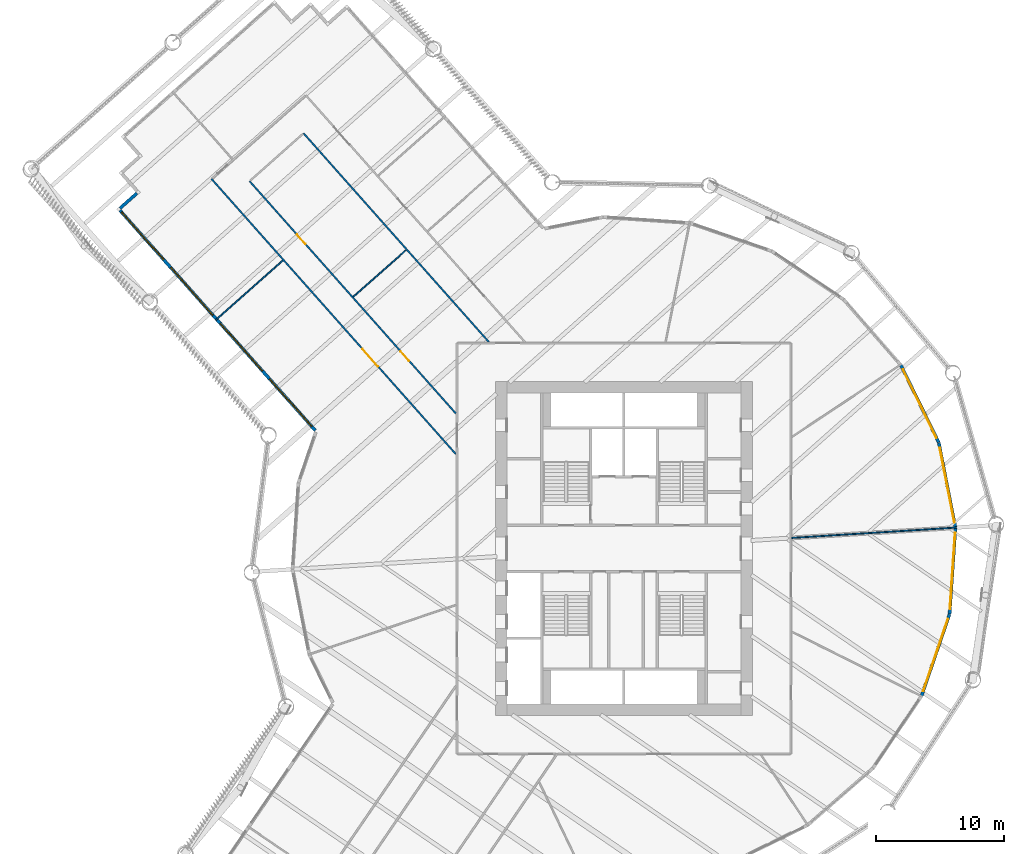
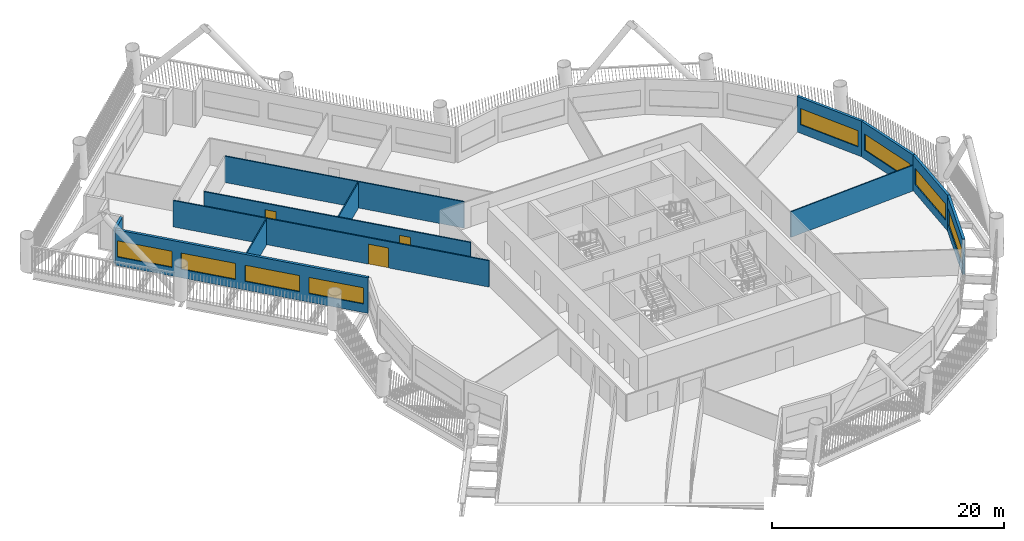
# One storey, part 6 of 22: 12 walls, 8 windows, 3 doors, 11 openings.
"""IFC4 building model written with IfcOpenShell, lengths in metres."""

import ifcopenshell
import ifcopenshell.guid

model = None  # the IFC model being written
_history = None  # IfcOwnerHistory: only IFC2X3 demands one
_inside = {}  # id of a spatial element -> (the spatial element, [elements in it])
_under = {}  # id of a project, library or spatial element -> (it, [spatial elements below it])
_declared = {}  # id of a project -> (the project, [libraries it declares])
_typed = {}  # id of a type object -> (the type object, [elements of that type])
_made_of = {}  # id of a material, layer set ... -> (it, [elements and type objects made of it])


def new_model(schema):
    """Start an empty IFC model of exactly this schema.

    Asked for "IFC4X3", IfcOpenShell would pick the latest addendum, in which some entities
    have other attributes; the version numbers below select the first issue.
    IFC2X3 requires an IfcOwnerHistory on every rooted entity: one is made here for all.
    """
    global model, _history
    if schema == "IFC4X3":
        model = ifcopenshell.file(schema_version=(4, 3, 0, 0))
    else:
        model = ifcopenshell.file(schema=schema)
    _inside.clear()
    _under.clear()
    _declared.clear()
    _typed.clear()
    _made_of.clear()
    _history = None
    if model.schema == "IFC2X3":
        org = make("IfcOrganization", Name="unknown")
        user = make(
            "IfcPersonAndOrganization",
            ThePerson=make("IfcPerson", FamilyName="unknown"),
            TheOrganization=org,
        )
        app = make(
            "IfcApplication",
            ApplicationDeveloper=org,
            Version="unknown",
            ApplicationFullName="unknown",
            ApplicationIdentifier="unknown",
        )
        _history = make(
            "IfcOwnerHistory",
            OwningUser=user,
            OwningApplication=app,
            ChangeAction="ADDED",
            CreationDate=0,
        )
    return model


def make(cls, **values):
    """One entity of the class cls with the attributes given. An attribute that is None is left unset."""
    return model.create_entity(
        cls, **{name: value for name, value in values.items() if value is not None}
    )


def rooted(cls, **values):
    """An entity with a GlobalId (a new one), such as an element, a storey or a relation."""
    return make(cls, GlobalId=ifcopenshell.guid.new(), OwnerHistory=_history, **values)


def si_unit(unit_type, name, prefix=None):
    """IfcSIUnit, for example si_unit("LENGTHUNIT", "METRE", prefix="MILLI")."""
    return make("IfcSIUnit", UnitType=unit_type, Prefix=prefix, Name=name)


def assignment(units):
    """IfcUnitAssignment: the units of a project."""
    return None if units is None else make("IfcUnitAssignment", Units=units)


def point(xyz):
    """IfcCartesianPoint."""
    return None if xyz is None else make("IfcCartesianPoint", Coordinates=xyz)


def direction(xyz):
    """IfcDirection."""
    return None if xyz is None else make("IfcDirection", DirectionRatios=xyz)


def frame(location, z_axis=None, x_axis=None):
    """IfcAxis2Placement3D, a coordinate frame: its origin and axes. An axis left out is left unset."""
    return make(
        "IfcAxis2Placement3D",
        Location=point(location),
        Axis=direction(z_axis),
        RefDirection=direction(x_axis),
    )


def frame_2d(location, x_axis=None):
    """IfcAxis2Placement2D, a coordinate frame in the plane: its origin and x axis."""
    return make(
        "IfcAxis2Placement2D", Location=point(location), RefDirection=direction(x_axis)
    )


def origin():
    """The frame at (0, 0, 0) with its axes left unset."""
    return frame((0.0, 0.0, 0.0))


def place(relative_to, where):
    """IfcLocalPlacement: puts the frame where relative to a parent placement (None: the world)."""
    return make(
        "IfcLocalPlacement", PlacementRelTo=relative_to, RelativePlacement=where
    )


def context(
    kind, dimensions, precision=None, world=None, true_north=None, identifier=None
):
    """IfcGeometricRepresentationContext, for example the 3D "Model" context."""
    return make(
        "IfcGeometricRepresentationContext",
        ContextIdentifier=identifier,
        ContextType=kind,
        CoordinateSpaceDimension=dimensions,
        Precision=precision,
        WorldCoordinateSystem=world,
        TrueNorth=true_north,
    )


def subcontext(parent, identifier, kind, view, scale=None):
    """IfcGeometricRepresentationSubContext, for example "Body" below "Model"."""
    return make(
        "IfcGeometricRepresentationSubContext",
        ContextIdentifier=identifier,
        ContextType=kind,
        ParentContext=parent,
        TargetScale=scale,
        TargetView=view,
    )


def project(units=None, contexts=None):
    """IfcProject with its units and contexts."""
    return rooted(
        "IfcProject",
        Name="project",
        RepresentationContexts=contexts,
        UnitsInContext=assignment(units),
    )


def spatial(cls, under=None, at=None, **own):
    """A site, building, storey or space (cls), placed at a placement, below another one or the project."""
    s = rooted(cls, ObjectPlacement=at, **own)
    if under is not None:
        _under.setdefault(under.id(), (under, []))[1].append(s)
    return s


def profile(cls, at=None, kind="AREA", **sizes):
    """A parametric profile (cls). Its sizes go by their IFC names, for example OverallWidth=200.0."""
    return make(cls, ProfileType=kind, Position=at, **sizes)


def rectangle(**sizes):
    """IfcRectangleProfileDef."""
    return profile("IfcRectangleProfileDef", **sizes)


def extrude(swept, where, along, depth):
    """IfcExtrudedAreaSolid: the profile swept, set in the frame where, extruded along a direction by depth."""
    return make(
        "IfcExtrudedAreaSolid",
        SweptArea=swept,
        Position=where,
        ExtrudedDirection=direction(along),
        Depth=depth,
    )


def shape(context_of_items, identifier, shape_type, items):
    """IfcShapeRepresentation: the items that make up one representation, for example the "Body"."""
    return make(
        "IfcShapeRepresentation",
        ContextOfItems=context_of_items,
        RepresentationIdentifier=identifier,
        RepresentationType=shape_type,
        Items=items,
    )


def material(Name=None, Category=None):
    """IfcMaterial."""
    return make("IfcMaterial", Name=Name, Category=Category)


def layer(
    of_material, thickness, ventilated=None, Name=None, Category=None, Priority=None
):
    """IfcMaterialLayer: one layer of a wall or slab, of a material (None: an air gap)."""
    return make(
        "IfcMaterialLayer",
        Material=of_material,
        LayerThickness=thickness,
        IsVentilated=ventilated,
        Name=Name,
        Category=Category,
        Priority=Priority,
    )


def layer_set(layers, Name=None):
    """IfcMaterialLayerSet."""
    return make("IfcMaterialLayerSet", MaterialLayers=layers, LayerSetName=Name)


def made_of(thing, what):
    """Note that an element or type object is made of a material, layer set ...; save() writes the relation."""
    if what is not None:
        _made_of.setdefault(what.id(), (what, []))[1].append(thing)
    return thing


def type_object(cls, material=None, **own):
    """A type object (cls), such as IfcWallType, which elements share."""
    return made_of(rooted(cls, **own), material)


def element(
    cls,
    number,
    at=None,
    inside=None,
    cuts=None,
    type_object=None,
    material=None,
    context=None,
    identifier="Body",
    shape_type=None,
    held_by="IfcProductDefinitionShape",
    body=None,
    shapes=None,
    **own,
):
    """One element of the class cls, such as IfcWall. Its Tag is "e" and its number.

    at: its placement. inside: the storey or other place that contains it. cuts: it is an
    opening in that element (IfcRelVoidsElement). A single representation is given by context,
    identifier, shape_type and body (its items); several are given by shapes. held_by: the class
    of the entity that holds the representations. save() writes the other relations.
    """
    e = rooted(cls, Tag="e%d" % number, ObjectPlacement=at, **own)
    if body is not None:
        shapes = [shape(context, identifier, shape_type, body)]
    if shapes is not None:
        e.Representation = make(held_by, Representations=shapes)
    if inside is not None:
        _inside.setdefault(inside.id(), (inside, []))[1].append(e)
    if cuts is not None:
        rooted(
            "IfcRelVoidsElement", RelatingBuildingElement=cuts, RelatedOpeningElement=e
        )
    if type_object is not None:
        _typed.setdefault(type_object.id(), (type_object, []))[1].append(e)
    return made_of(e, material)


def fill(opening, filler):
    """IfcRelFillsElement: the door or window that sits in an opening."""
    return rooted(
        "IfcRelFillsElement",
        RelatingOpeningElement=opening,
        RelatedBuildingElement=filler,
    )


def aggregate(whole, parts):
    """IfcRelAggregates: a whole, such as a stair, and the parts it consists of."""
    return rooted("IfcRelAggregates", RelatingObject=whole, RelatedObjects=parts)


def save(model, path):
    """Write the relations noted so far, then the file.

    IfcRelAggregates (storeys below a building ...), IfcRelContainedInSpatialStructure (elements
    in a storey), IfcRelDefinesByType, IfcRelAssociatesMaterial and IfcRelDeclares: one each for
    every whole, place, type object, material and project.
    """
    for whole, parts in _under.values():
        aggregate(whole, parts)
    for where, things in _inside.values():
        rooted(
            "IfcRelContainedInSpatialStructure",
            RelatedElements=things,
            RelatingStructure=where,
        )
    for kind, things in _typed.values():
        rooted("IfcRelDefinesByType", RelatedObjects=things, RelatingType=kind)
    for what, things in _made_of.values():
        rooted("IfcRelAssociatesMaterial", RelatedObjects=things, RelatingMaterial=what)
    for by, libraries in _declared.values():
        rooted("IfcRelDeclares", RelatingContext=by, RelatedDefinitions=libraries)
    model.write(path)


model = new_model("IFC4")

# Units and contexts
model_context = context("Model", 3, precision=1e-05, world=origin(), true_north=direction((0.0, 1.0)))
body_context = subcontext(model_context, "Body", "Model", "MODEL_VIEW")
ifc_project = project(units=[si_unit("LENGTHUNIT", "METRE"), si_unit("AREAUNIT", "SQUARE_METRE"), si_unit("VOLUMEUNIT", "CUBIC_METRE"), si_unit("PLANEANGLEUNIT", "RADIAN"), si_unit("MASSUNIT", "GRAM", prefix="KILO")], contexts=[model_context])

# Site, building, storey
site_placement = place(None, origin())
site = spatial("IfcSite", under=ifc_project, at=site_placement, CompositionType="ELEMENT")
building_placement = place(site_placement, origin())
building = spatial("IfcBuilding", under=site, at=building_placement, Name="Tarsis Ring Headquarters", CompositionType="ELEMENT")
storey_placement = place(building_placement, frame((0.0, 0.0, 55.60009765625)))
storey = spatial("IfcBuildingStorey", under=building, at=storey_placement, Name="L11", CompositionType="ELEMENT", Elevation=55.60009765625)

# Walls
ifc_material_1 = material(Name="Gypsum board on steel studs", Category="steel")
ifc_layer_1 = layer(ifc_material_1, 0.10009765625)
ifc_layer_set_1 = layer_set([ifc_layer_1], Name="FL partition 100 unrated")
wall_type_1 = type_object("IfcWallType", Name="FL partition 100 unrated", PredefinedType="PARTITIONING", material=ifc_layer_set_1)
wall_1_placement = place(storey_placement, frame((13.06982421875, 0.822265625, 0.0), z_axis=(0.0, 0.0, 1.0), x_axis=(0.998026026949, 0.062801668223, 0.0)))
element("IfcWall", 1, at=wall_1_placement, inside=storey, type_object=wall_type_1, Name="Partition PW3", PredefinedType="PARTITIONING", context=body_context, shape_type="SweptSolid", body=[
    extrude(rectangle(XDim=12.85205078125, YDim=0.10009765625, at=frame_2d((6.426025390625, 0.0))), origin(), (0.0, 0.0, 1.0), 2.699951171875),
])
wall_2_placement = place(storey_placement, frame((-31.781982421875, 17.7978515625, 0.0), z_axis=(0.0, 0.0, 1.0), x_axis=(0.747822731986, 0.663898457239, 0.0)))
element("IfcWall", 2, at=wall_2_placement, inside=storey, type_object=wall_type_1, Name="Partition PW3", PredefinedType="PARTITIONING", context=body_context, shape_type="SweptSolid", body=[
    extrude(rectangle(XDim=6.97021484375, YDim=0.10009765625, at=frame_2d((3.485107421875, 0.0))), origin(), (0.0, 0.0, 1.0), 2.699951171875),
])
wall_3_placement = place(storey_placement, frame((-21.0703125, 19.605224609375, 0.0), z_axis=(0.0, 0.0, 1.0), x_axis=(0.747785269187, 0.663940653362, 0.0)))
element("IfcWall", 3, at=wall_3_placement, inside=storey, type_object=wall_type_1, Name="Partition PW3", PredefinedType="PARTITIONING", context=body_context, shape_type="SweptSolid", body=[
    extrude(rectangle(XDim=5.47998046875, YDim=0.10009765625, at=frame_2d((2.739990234375, 0.0))), origin(), (0.0, 0.0, 1.0), 2.699951171875),
])

# Wall, opening, door
ifc_layer_2 = layer(ifc_material_1, 0.125)
ifc_layer_set_2 = layer_set([ifc_layer_2], Name="FL partition 125 EI 60 H2770")
wall_type_2 = type_object("IfcWallType", Name="FL partition 125 EI 60 H2770", PredefinedType="PARTITIONING", material=ifc_layer_set_2)
wall_4_placement = place(storey_placement, frame((-32.120849609375, 28.783203125, 0.0), z_axis=(0.0, 0.0, 1.0), x_axis=(0.663923129446, -0.747800827886, 0.0)))
wall_4 = element("IfcWall", 4, at=wall_4_placement, inside=storey, type_object=wall_type_2, Name="Partition PW1", PredefinedType="PARTITIONING", context=body_context, shape_type="SweptSolid", body=[
    extrude(rectangle(XDim=28.649658203125, YDim=0.125, at=frame_2d((14.32470703125, 0.0))), origin(), (0.0, 0.0, 1.0), 2.77001953125),
])
opening_1_placement = place(wall_4_placement, frame((17.718017578125, 0.0, 0.0)))
opening_1 = element("IfcOpeningElement", 5, at=opening_1_placement, cuts=wall_4, Name="Opening D11.14", PredefinedType="OPENING", context=body_context, shape_type="SweptSolid", body=[
    extrude(rectangle(XDim=1.800048828125, YDim=2.10009765625, at=frame_2d((0.89990234375, 1.050048828125))), frame((0.0, 0.072509765625, 0.0), z_axis=(0.0, -1.0, 0.0), x_axis=(1.0, 0.0, 0.0)), (0.0, 0.0, 1.0), 0.14501953125),
])
ifc_material_2 = material(Name="Fire-rated timber door leaf in steel frame", Category="steel")
door_type_1 = type_object("IfcDoorType", Name="FL door FD60-1800", OperationType="DOUBLE_DOOR_SINGLE_SWING", PredefinedType="DOOR", material=ifc_material_2)
door_1_placement = place(opening_1_placement, origin())
door_1 = element("IfcDoor", 6, at=door_1_placement, inside=storey, type_object=door_type_1, Name="Door D11.14", OperationType="DOUBLE_DOOR_SINGLE_SWING", OverallHeight=2.10009765625, OverallWidth=1.800048828125, PredefinedType="DOOR", context=body_context, shape_type="SweptSolid", body=[
    extrude(rectangle(XDim=1.800048828125, YDim=2.10009765625, at=frame_2d((0.89990234375, 1.050048828125))), frame((0.0, 0.02490234375, 0.0), z_axis=(0.0, -1.0, 0.0), x_axis=(1.0, 0.0, 0.0)), (0.0, 0.0, 1.0), 0.050048828125),
])
fill(opening_1, door_1)

# Wall, openings, doors
wall_5_placement = place(storey_placement, frame((-29.15625, 28.607177734375, 0.0), z_axis=(0.0, 0.0, 1.0), x_axis=(0.663922609988, -0.747801289078, 0.0)))
wall_5 = element("IfcWall", 7, at=wall_5_placement, inside=storey, type_object=wall_type_2, Name="Partition PW1", PredefinedType="PARTITIONING", context=body_context, shape_type="SweptSolid", body=[
    extrude(rectangle(XDim=24.1845703125, YDim=0.125, at=frame_2d((12.09228515625, 0.0))), origin(), (0.0, 0.0, 1.0), 2.77001953125),
])
opening_2_placement = place(wall_5_placement, frame((17.718505859375, 0.0, 0.0)))
opening_2 = element("IfcOpeningElement", 8, at=opening_2_placement, cuts=wall_5, Name="Opening D11.15", PredefinedType="OPENING", context=body_context, shape_type="SweptSolid", body=[
    extrude(rectangle(XDim=1.0, YDim=2.10009765625, at=frame_2d((0.5, 1.050048828125))), frame((0.0, 0.072509765625, 0.0), z_axis=(0.0, -1.0, 0.0), x_axis=(1.0, 0.0, 0.0)), (0.0, 0.0, 1.0), 0.14501953125),
])
opening_3_placement = place(wall_5_placement, frame((5.55126953125, 0.0, 0.0)))
opening_3 = element("IfcOpeningElement", 9, at=opening_3_placement, cuts=wall_5, Name="Opening D11.16", PredefinedType="OPENING", context=body_context, shape_type="SweptSolid", body=[
    extrude(rectangle(XDim=1.0, YDim=2.10009765625, at=frame_2d((0.5, 1.050048828125))), frame((0.0, 0.072509765625, 0.0), z_axis=(0.0, -1.0, 0.0), x_axis=(1.0, 0.0, 0.0)), (0.0, 0.0, 1.0), 0.14501953125),
])
door_type_2 = type_object("IfcDoorType", Name="FL door FD60-1000", OperationType="NOTDEFINED", PredefinedType="DOOR", material=ifc_material_2)
door_2_placement = place(opening_2_placement, origin())
door_2 = element("IfcDoor", 10, at=door_2_placement, inside=storey, type_object=door_type_2, Name="Door D11.15", OperationType="SINGLE_SWING_RIGHT", OverallHeight=2.10009765625, OverallWidth=1.0, PredefinedType="DOOR", context=body_context, shape_type="SweptSolid", body=[
    extrude(rectangle(XDim=1.0, YDim=2.10009765625, at=frame_2d((0.5, 1.050048828125))), frame((0.0, 0.02490234375, 0.0), z_axis=(0.0, -1.0, 0.0), x_axis=(1.0, 0.0, 0.0)), (0.0, 0.0, 1.0), 0.050048828125),
])
fill(opening_2, door_2)
door_3_placement = place(opening_3_placement, origin())
door_3 = element("IfcDoor", 11, at=door_3_placement, inside=storey, type_object=door_type_2, Name="Door D11.16", OperationType="SINGLE_SWING_LEFT", OverallHeight=2.10009765625, OverallWidth=1.0, PredefinedType="DOOR", context=body_context, shape_type="SweptSolid", body=[
    extrude(rectangle(XDim=1.0, YDim=2.10009765625, at=frame_2d((0.5, 1.050048828125))), frame((0.0, 0.02490234375, 0.0), z_axis=(0.0, -1.0, 0.0), x_axis=(1.0, 0.0, 0.0)), (0.0, 0.0, 1.0), 0.050048828125),
])
fill(opening_3, door_3)

# Wall
wall_6_placement = place(storey_placement, frame((-24.95361328125, 32.33837890625, 0.0), z_axis=(0.0, 0.0, 1.0), x_axis=(0.663921366125, -0.747802393419, 0.0)))
element("IfcWall", 12, at=wall_6_placement, inside=storey, type_object=wall_type_2, Name="Partition PW1", PredefinedType="PARTITIONING", context=body_context, shape_type="SweptSolid", body=[
    extrude(rectangle(XDim=21.718505859375, YDim=0.125, at=frame_2d((10.859375, 0.0))), origin(), (0.0, 0.0, 1.0), 2.77001953125),
])

# Wall, openings, windows
ifc_material_3 = material(Name="Terracotta clad insulated panel wall", Category="masonry")
ifc_layer_3 = layer(ifc_material_3, 0.25)
ifc_layer_set_3 = layer_set([ifc_layer_3], Name="Facade wall terracotta panel 250")
wall_type_3 = type_object("IfcWallType", Name="Facade wall terracotta panel 250", PredefinedType="STANDARD", material=ifc_layer_set_3)
wall_7_placement = place(storey_placement, frame((-39.254638671875, 26.32763671875, 0.0), z_axis=(0.0, 0.0, 1.0), x_axis=(0.663924098659, -0.747799967384, 0.0)))
wall_7 = element("IfcWall", 13, at=wall_7_placement, inside=storey, type_object=wall_type_3, Name="External wall L11-01", PredefinedType="STANDARD", context=body_context, shape_type="SweptSolid", body=[
    extrude(rectangle(XDim=22.922119140625, YDim=0.25, at=frame_2d((11.4609375, 0.0))), origin(), (0.0, 0.0, 1.0), 3.739990234375),
])
opening_4_placement = place(wall_7_placement, frame((0.17138671875, 0.0, 0.89990234375)))
opening_4 = element("IfcOpeningElement", 14, at=opening_4_placement, cuts=wall_7, Name="Opening WN05", PredefinedType="OPENING", context=body_context, shape_type="SweptSolid", body=[
    extrude(rectangle(XDim=4.949951171875, YDim=1.699951171875, at=frame_2d((2.47509765625, 0.85009765625))), frame((0.0, 0.135009765625, 0.0), z_axis=(0.0, -1.0, 0.0), x_axis=(1.0, 0.0, 0.0)), (0.0, 0.0, 1.0), 0.27001953125),
])
opening_5_placement = place(wall_7_placement, frame((5.964599609375, 0.0, 0.89990234375)))
opening_5 = element("IfcOpeningElement", 15, at=opening_5_placement, cuts=wall_7, Name="Opening WN05", PredefinedType="OPENING", context=body_context, shape_type="SweptSolid", body=[
    extrude(rectangle(XDim=4.949951171875, YDim=1.699951171875, at=frame_2d((2.47509765625, 0.85009765625))), frame((0.0, 0.135009765625, 0.0), z_axis=(0.0, -1.0, 0.0), x_axis=(1.0, 0.0, 0.0)), (0.0, 0.0, 1.0), 0.27001953125),
])
opening_6_placement = place(wall_7_placement, frame((11.757568359375, 0.0, 0.89990234375)))
opening_6 = element("IfcOpeningElement", 16, at=opening_6_placement, cuts=wall_7, Name="Opening WN05", PredefinedType="OPENING", context=body_context, shape_type="SweptSolid", body=[
    extrude(rectangle(XDim=4.949951171875, YDim=1.699951171875, at=frame_2d((2.47509765625, 0.85009765625))), frame((0.0, 0.135009765625, 0.0), z_axis=(0.0, -1.0, 0.0), x_axis=(1.0, 0.0, 0.0)), (0.0, 0.0, 1.0), 0.27001953125),
])
opening_7_placement = place(wall_7_placement, frame((17.550537109375, 0.0, 0.89990234375)))
opening_7 = element("IfcOpeningElement", 17, at=opening_7_placement, cuts=wall_7, Name="Opening WN05", PredefinedType="OPENING", context=body_context, shape_type="SweptSolid", body=[
    extrude(rectangle(XDim=4.949951171875, YDim=1.699951171875, at=frame_2d((2.47509765625, 0.85009765625))), frame((0.0, 0.135009765625, 0.0), z_axis=(0.0, -1.0, 0.0), x_axis=(1.0, 0.0, 0.0)), (0.0, 0.0, 1.0), 0.27001953125),
])
ifc_material_4 = material(Name="Aluminium framed double glazing", Category="aluminium")
window_type_1 = type_object("IfcWindowType", Name="Facade window 4950 x 1700", PartitioningType="SINGLE_PANEL", PredefinedType="WINDOW", material=ifc_material_4)
window_1_placement = place(opening_4_placement, origin())
window_1 = element("IfcWindow", 18, at=window_1_placement, inside=storey, type_object=window_type_1, Name="Window L11-01.1", OverallHeight=1.699951171875, OverallWidth=4.949951171875, PartitioningType="SINGLE_PANEL", PredefinedType="WINDOW", context=body_context, shape_type="SweptSolid", body=[
    extrude(rectangle(XDim=4.949951171875, YDim=1.699951171875, at=frame_2d((2.47509765625, 0.85009765625))), frame((0.0, 0.030029296875, 0.0), z_axis=(0.0, -1.0, 0.0), x_axis=(1.0, 0.0, 0.0)), (0.0, 0.0, 1.0), 0.06005859375),
])
fill(opening_4, window_1)
window_2_placement = place(opening_5_placement, origin())
window_2 = element("IfcWindow", 19, at=window_2_placement, inside=storey, type_object=window_type_1, Name="Window L11-01.2", OverallHeight=1.699951171875, OverallWidth=4.949951171875, PartitioningType="SINGLE_PANEL", PredefinedType="WINDOW", context=body_context, shape_type="SweptSolid", body=[
    extrude(rectangle(XDim=4.949951171875, YDim=1.699951171875, at=frame_2d((2.47509765625, 0.85009765625))), frame((0.0, 0.030029296875, 0.0), z_axis=(0.0, -1.0, 0.0), x_axis=(1.0, 0.0, 0.0)), (0.0, 0.0, 1.0), 0.06005859375),
])
fill(opening_5, window_2)
window_3_placement = place(opening_6_placement, origin())
window_3 = element("IfcWindow", 20, at=window_3_placement, inside=storey, type_object=window_type_1, Name="Window L11-01.3", OverallHeight=1.699951171875, OverallWidth=4.949951171875, PartitioningType="SINGLE_PANEL", PredefinedType="WINDOW", context=body_context, shape_type="SweptSolid", body=[
    extrude(rectangle(XDim=4.949951171875, YDim=1.699951171875, at=frame_2d((2.47509765625, 0.85009765625))), frame((0.0, 0.030029296875, 0.0), z_axis=(0.0, -1.0, 0.0), x_axis=(1.0, 0.0, 0.0)), (0.0, 0.0, 1.0), 0.06005859375),
])
fill(opening_6, window_3)
window_4_placement = place(opening_7_placement, origin())
window_4 = element("IfcWindow", 21, at=window_4_placement, inside=storey, type_object=window_type_1, Name="Window L11-01.4", OverallHeight=1.699951171875, OverallWidth=4.949951171875, PartitioningType="SINGLE_PANEL", PredefinedType="WINDOW", context=body_context, shape_type="SweptSolid", body=[
    extrude(rectangle(XDim=4.949951171875, YDim=1.699951171875, at=frame_2d((2.47509765625, 0.85009765625))), frame((0.0, 0.030029296875, 0.0), z_axis=(0.0, -1.0, 0.0), x_axis=(1.0, 0.0, 0.0)), (0.0, 0.0, 1.0), 0.06005859375),
])
fill(opening_7, window_4)

# Wall, opening, window
wall_8_placement = place(storey_placement, frame((23.180908203125, -11.48876953125, 0.0), z_axis=(0.0, 0.0, 1.0), x_axis=(0.323921275137, 0.946084038293, 0.0)))
wall_8 = element("IfcWall", 22, at=wall_8_placement, inside=storey, type_object=wall_type_3, Name="External wall L11-22", PredefinedType="STANDARD", context=body_context, shape_type="SweptSolid", body=[
    extrude(rectangle(XDim=6.721435546875, YDim=0.25, at=frame_2d((3.36083984375, 0.0))), origin(), (0.0, 0.0, 1.0), 3.739990234375),
])
opening_8_placement = place(wall_8_placement, frame((0.3857421875, 0.0, 0.89990234375)))
opening_8 = element("IfcOpeningElement", 23, at=opening_8_placement, cuts=wall_8, Name="Opening WN07", PredefinedType="OPENING", context=body_context, shape_type="SweptSolid", body=[
    extrude(rectangle(XDim=5.949951171875, YDim=1.699951171875, at=frame_2d((2.97509765625, 0.85009765625))), frame((0.0, 0.135009765625, 0.0), z_axis=(0.0, -1.0, 0.0), x_axis=(1.0, 0.0, 0.0)), (0.0, 0.0, 1.0), 0.27001953125),
])
window_type_2 = type_object("IfcWindowType", Name="Facade window 5950 x 1700", PartitioningType="SINGLE_PANEL", PredefinedType="WINDOW", material=ifc_material_4)
window_5_placement = place(opening_8_placement, origin())
window_5 = element("IfcWindow", 24, at=window_5_placement, inside=storey, type_object=window_type_2, Name="Window L11-22.1", OverallHeight=1.699951171875, OverallWidth=5.949951171875, PartitioningType="SINGLE_PANEL", PredefinedType="WINDOW", context=body_context, shape_type="SweptSolid", body=[
    extrude(rectangle(XDim=5.949951171875, YDim=1.699951171875, at=frame_2d((2.97509765625, 0.85009765625))), frame((0.0, 0.030029296875, 0.0), z_axis=(0.0, -1.0, 0.0), x_axis=(1.0, 0.0, 0.0)), (0.0, 0.0, 1.0), 0.06005859375),
])
fill(opening_8, window_5)

wall_9_placement = place(storey_placement, frame((25.364501953125, -5.09765625, 0.0), z_axis=(0.0, 0.0, 1.0), x_axis=(0.068032926859, 0.997683076364, 0.0)))
wall_9 = element("IfcWall", 25, at=wall_9_placement, inside=storey, type_object=wall_type_3, Name="External wall L11-23", PredefinedType="STANDARD", context=body_context, shape_type="SweptSolid", body=[
    extrude(rectangle(XDim=6.721435546875, YDim=0.25, at=frame_2d((3.36083984375, 0.0))), origin(), (0.0, 0.0, 1.0), 3.739990234375),
])
opening_9_placement = place(wall_9_placement, frame((0.3857421875, 0.0, 0.89990234375)))
opening_9 = element("IfcOpeningElement", 26, at=opening_9_placement, cuts=wall_9, Name="Opening WN07", PredefinedType="OPENING", context=body_context, shape_type="SweptSolid", body=[
    extrude(rectangle(XDim=5.949951171875, YDim=1.699951171875, at=frame_2d((2.97509765625, 0.85009765625))), frame((0.0, 0.135009765625, 0.0), z_axis=(0.0, -1.0, 0.0), x_axis=(1.0, 0.0, 0.0)), (0.0, 0.0, 1.0), 0.27001953125),
])
window_6_placement = place(opening_9_placement, origin())
window_6 = element("IfcWindow", 27, at=window_6_placement, inside=storey, type_object=window_type_2, Name="Window L11-23.1", OverallHeight=1.699951171875, OverallWidth=5.949951171875, PartitioningType="SINGLE_PANEL", PredefinedType="WINDOW", context=body_context, shape_type="SweptSolid", body=[
    extrude(rectangle(XDim=5.949951171875, YDim=1.699951171875, at=frame_2d((2.97509765625, 0.85009765625))), frame((0.0, 0.030029296875, 0.0), z_axis=(0.0, -1.0, 0.0), x_axis=(1.0, 0.0, 0.0)), (0.0, 0.0, 1.0), 0.06005859375),
])
fill(opening_9, window_6)

wall_10_placement = place(storey_placement, frame((25.819580078125, 1.640869140625, 0.0), z_axis=(0.0, 0.0, 1.0), x_axis=(-0.192510477684, 0.981294917944, 0.0)))
wall_10 = element("IfcWall", 28, at=wall_10_placement, inside=storey, type_object=wall_type_3, Name="External wall L11-24", PredefinedType="STANDARD", context=body_context, shape_type="SweptSolid", body=[
    extrude(rectangle(XDim=6.721435546875, YDim=0.25, at=frame_2d((3.36083984375, 0.0))), origin(), (0.0, 0.0, 1.0), 3.739990234375),
])
opening_10_placement = place(wall_10_placement, frame((0.3857421875, 0.0, 0.89990234375)))
opening_10 = element("IfcOpeningElement", 29, at=opening_10_placement, cuts=wall_10, Name="Opening WN07", PredefinedType="OPENING", context=body_context, shape_type="SweptSolid", body=[
    extrude(rectangle(XDim=5.949951171875, YDim=1.699951171875, at=frame_2d((2.97509765625, 0.85009765625))), frame((0.0, 0.135009765625, 0.0), z_axis=(0.0, -1.0, 0.0), x_axis=(1.0, 0.0, 0.0)), (0.0, 0.0, 1.0), 0.27001953125),
])
window_7_placement = place(opening_10_placement, origin())
window_7 = element("IfcWindow", 30, at=window_7_placement, inside=storey, type_object=window_type_2, Name="Window L11-24.1", OverallHeight=1.699951171875, OverallWidth=5.949951171875, PartitioningType="SINGLE_PANEL", PredefinedType="WINDOW", context=body_context, shape_type="SweptSolid", body=[
    extrude(rectangle(XDim=5.949951171875, YDim=1.699951171875, at=frame_2d((2.97509765625, 0.85009765625))), frame((0.0, 0.030029296875, 0.0), z_axis=(0.0, -1.0, 0.0), x_axis=(1.0, 0.0, 0.0)), (0.0, 0.0, 1.0), 0.06005859375),
])
fill(opening_10, window_7)

wall_11_placement = place(storey_placement, frame((24.51513671875, 8.267578125, 0.0), z_axis=(0.0, 0.0, 1.0), x_axis=(-0.439934406337, 0.898029909369, 0.0)))
wall_11 = element("IfcWall", 31, at=wall_11_placement, inside=storey, type_object=wall_type_3, Name="External wall L11-25", PredefinedType="STANDARD", context=body_context, shape_type="SweptSolid", body=[
    extrude(rectangle(XDim=6.721435546875, YDim=0.25, at=frame_2d((3.36083984375, 0.0))), origin(), (0.0, 0.0, 1.0), 3.739990234375),
])
opening_11_placement = place(wall_11_placement, frame((0.3857421875, 0.0, 0.89990234375)))
opening_11 = element("IfcOpeningElement", 32, at=opening_11_placement, cuts=wall_11, Name="Opening WN07", PredefinedType="OPENING", context=body_context, shape_type="SweptSolid", body=[
    extrude(rectangle(XDim=5.949951171875, YDim=1.699951171875, at=frame_2d((2.97509765625, 0.85009765625))), frame((0.0, 0.135009765625, 0.0), z_axis=(0.0, -1.0, 0.0), x_axis=(1.0, 0.0, 0.0)), (0.0, 0.0, 1.0), 0.27001953125),
])
window_8_placement = place(opening_11_placement, origin())
window_8 = element("IfcWindow", 33, at=window_8_placement, inside=storey, type_object=window_type_2, Name="Window L11-25.1", OverallHeight=1.699951171875, OverallWidth=5.949951171875, PartitioningType="SINGLE_PANEL", PredefinedType="WINDOW", context=body_context, shape_type="SweptSolid", body=[
    extrude(rectangle(XDim=5.949951171875, YDim=1.699951171875, at=frame_2d((2.97509765625, 0.85009765625))), frame((0.0, 0.030029296875, 0.0), z_axis=(0.0, -1.0, 0.0), x_axis=(1.0, 0.0, 0.0)), (0.0, 0.0, 1.0), 0.06005859375),
])
fill(opening_11, window_8)

# Wall
wall_12_placement = place(storey_placement, frame((-37.935546875, 27.666015625, 0.0), z_axis=(0.0, 0.0, 1.0), x_axis=(-0.747786362748, -0.663939421701, 0.0)))
element("IfcWall", 34, at=wall_12_placement, inside=storey, type_object=wall_type_3, Name="External wall L11-40", PredefinedType="STANDARD", context=body_context, shape_type="SweptSolid", body=[
    extrude(rectangle(XDim=1.75, YDim=0.25, at=frame_2d((0.875, 0.0))), origin(), (0.0, 0.0, 1.0), 3.739990234375),
])

save(model, "model.ifc")
